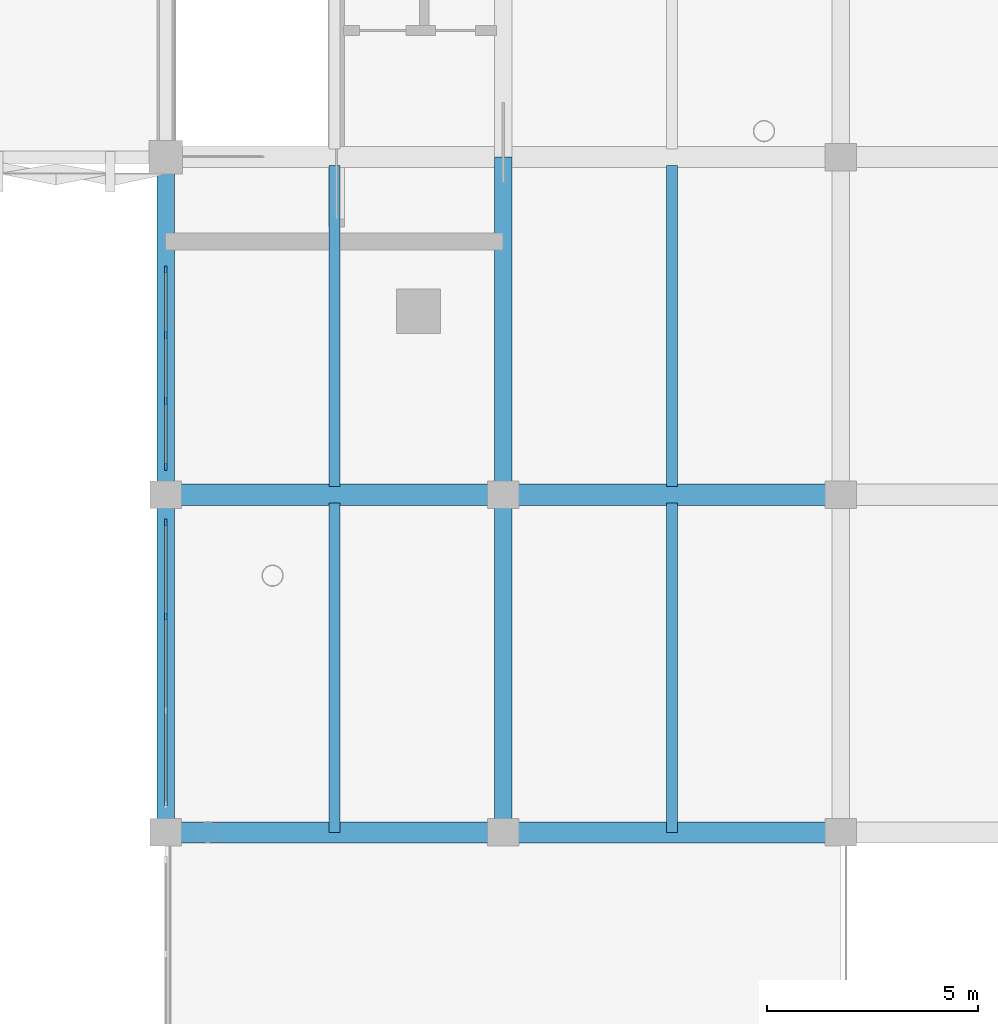
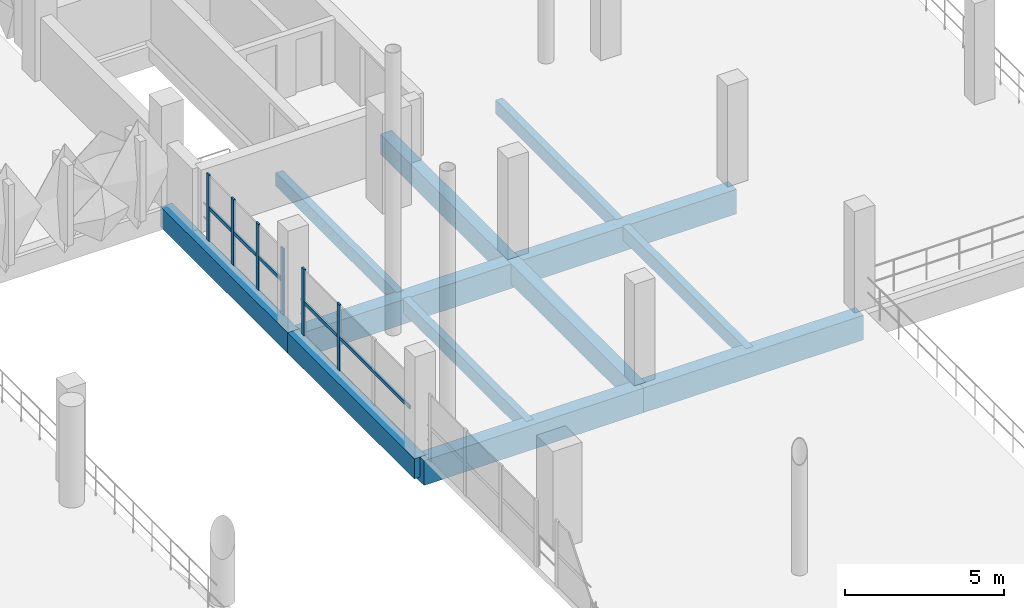
# One storey, part 24 of 123: 12 beams, 8 members, 2 elements without a shape of their own.
"""IFC4 building model written with IfcOpenShell, lengths in metres."""

from ifc_helpers import new_model, si_unit, derived_unit, direction, frame, origin, origin_2d, place, context, subcontext, project, spatial, rectangle, extrude, material, layer, layer_set, material_profile, profile_set, type_object, element, aggregate, save


model = new_model("IFC4")

# Units and contexts
model_context = context("Model", 3, precision=1e-05, world=origin(), true_north=direction((0.0, 1.0)))
body_context = subcontext(model_context, "Body", "Model", "MODEL_VIEW")
ifc_project = project(units=[si_unit("LENGTHUNIT", "METRE"), si_unit("AREAUNIT", "SQUARE_METRE"), si_unit("VOLUMEUNIT", "CUBIC_METRE"), si_unit("PLANEANGLEUNIT", "RADIAN"), si_unit("MASSUNIT", "GRAM", prefix="KILO"), si_unit("THERMODYNAMICTEMPERATUREUNIT", "KELVIN"), derived_unit("THERMALTRANSMITTANCEUNIT", [(si_unit("POWERUNIT", "WATT"), 1), (si_unit("AREAUNIT", "SQUARE_METRE"), -1), (si_unit("THERMODYNAMICTEMPERATUREUNIT", "KELVIN"), -1)])], contexts=[model_context])

# Site, building, storey
site_placement = place(None, origin())
site = spatial("IfcSite", under=ifc_project, at=site_placement, CompositionType="ELEMENT")
building_placement = place(site_placement, origin())
building = spatial("IfcBuilding", under=site, at=building_placement, Name="Haiyu Intermodal Mobility Hub", CompositionType="ELEMENT")
storey_placement = place(building_placement, frame((0.0, 0.0, 5.60009765625)))
storey = spatial("IfcBuildingStorey", under=building, at=storey_placement, Name="L01", CompositionType="ELEMENT", Elevation=5.60009765625)

# Beams
ifc_material_1 = material(Name="Concrete C40", Category="concrete")
ifc_material_profile_1 = material_profile(ifc_material_1, rectangle(XDim=0.5, YDim=0.949951171875, at=origin_2d()), Name="RCB500x950")
ifc_profile_set_1 = profile_set([ifc_material_profile_1], Name="Concrete C40")
beam_type_1 = type_object("IfcBeamType", Name="BM-CB01", PredefinedType="BEAM", material=ifc_profile_set_1)
for number, where, z_axis, x_axis, name in (
    (1, (62.0, 64.0, -0.735107421875), (1.0, 0.0, 0.0), (0.0, 1.0, 0.0), "BM-V1G-L01-001"),
    (2, (70.0, 64.0, -0.735107421875), (1.0, 0.0, 0.0), (0.0, 1.0, 0.0), "BM-V1G-L01-002"),
    (3, (62.0, 72.0, -0.735107421875), (1.0, 0.0, 0.0), (0.0, 1.0, 0.0), "BM-V1G-L01-011"),
    (4, (70.0, 72.0, -0.735107421875), (1.0, 0.0, 0.0), (0.0, 1.0, 0.0), "BM-V1G-L01-012"),
):
    element("IfcBeam", number, at=place(storey_placement, frame(where, z_axis=z_axis, x_axis=x_axis)), inside=storey, type_object=beam_type_1, Name=name, PredefinedType="BEAM", context=body_context, shape_type="SweptSolid", body=[
        extrude(rectangle(XDim=0.5, YDim=0.949951171875, at=origin_2d()), origin(), (0.0, 0.0, 1.0), 8.0),
    ])
ifc_material_profile_2 = material_profile(ifc_material_1, rectangle(XDim=0.419921875, YDim=0.780029296875, at=origin_2d()), Name="B420x780")
ifc_profile_set_2 = profile_set([ifc_material_profile_2], Name="Concrete C40")
beam_type_2 = type_object("IfcBeamType", Name="BM-CB14", PredefinedType="BEAM", material=ifc_profile_set_2)
for number, where, z_axis, x_axis, name in (
    (5, (62.0, 64.0, -0.650146484375), (0.0, 1.0, 0.0), (-1.0, 0.0, 0.0), "BM-V1T-L01-001"),
    (6, (62.0, 72.0, -0.650146484375), (0.0, 1.0, 0.0), (-1.0, 0.0, 0.0), "BM-V1T-L01-002"),
    (7, (70.0, 64.0, -0.650146484375), (0.0, 1.0, 0.0), (-1.0, 0.0, 0.0), "BM-V1T-L01-004"),
    (8, (70.0, 72.0, -0.650146484375), (0.0, 1.0, 0.0), (-1.0, 0.0, 0.0), "BM-V1T-L01-005"),
):
    element("IfcBeam", number, at=place(storey_placement, frame(where, z_axis=z_axis, x_axis=x_axis)), inside=storey, type_object=beam_type_2, Name=name, PredefinedType="BEAM", context=body_context, shape_type="SweptSolid", body=[
        extrude(rectangle(XDim=0.419921875, YDim=0.780029296875, at=origin_2d()), origin(), (0.0, 0.0, 1.0), 8.0),
    ])
ifc_material_profile_3 = material_profile(ifc_material_1, rectangle(XDim=0.260009765625, YDim=0.52001953125, at=origin_2d()), Name="B260x520")
ifc_profile_set_3 = profile_set([ifc_material_profile_3], Name="Concrete C40")
beam_type_3 = type_object("IfcBeamType", Name="BM-CB18", PredefinedType="JOIST", material=ifc_profile_set_3)
beam_1_placement = place(storey_placement, frame((66.0, 64.0, -0.52001953125), z_axis=(0.0, 1.0, 0.0), x_axis=(-1.0, 0.0, 0.0)))
element("IfcBeam", 9, at=beam_1_placement, inside=storey, type_object=beam_type_3, Name="BM-V1J-L01-001", PredefinedType="JOIST", context=body_context, shape_type="SweptSolid", body=[
    extrude(rectangle(XDim=0.260009765625, YDim=0.52001953125, at=origin_2d()), origin(), (0.0, 0.0, 1.0), 7.804931640625),
])
beam_2_placement = place(storey_placement, frame((66.0, 72.195068359375, -0.52001953125), z_axis=(0.0, 1.0, 0.0), x_axis=(-1.0, 0.0, 0.0)))
element("IfcBeam", 10, at=beam_2_placement, inside=storey, type_object=beam_type_3, Name="BM-V1J-L01-002", PredefinedType="JOIST", context=body_context, shape_type="SweptSolid", body=[
    extrude(rectangle(XDim=0.260009765625, YDim=0.52001953125, at=origin_2d()), origin(), (0.0, 0.0, 1.0), 7.60986328125),
])
beam_3_placement = place(storey_placement, frame((74.0, 64.0, -0.52001953125), z_axis=(0.0, 1.0, 0.0), x_axis=(-1.0, 0.0, 0.0)))
element("IfcBeam", 11, at=beam_3_placement, inside=storey, type_object=beam_type_3, Name="BM-V1J-L01-004", PredefinedType="JOIST", context=body_context, shape_type="SweptSolid", body=[
    extrude(rectangle(XDim=0.260009765625, YDim=0.52001953125, at=origin_2d()), origin(), (0.0, 0.0, 1.0), 7.804931640625),
])
beam_4_placement = place(storey_placement, frame((74.0, 72.195068359375, -0.52001953125), z_axis=(0.0, 1.0, 0.0), x_axis=(-1.0, 0.0, 0.0)))
element("IfcBeam", 12, at=beam_4_placement, inside=storey, type_object=beam_type_3, Name="BM-V1J-L01-005", PredefinedType="JOIST", context=body_context, shape_type="SweptSolid", body=[
    extrude(rectangle(XDim=0.260009765625, YDim=0.52001953125, at=origin_2d()), origin(), (0.0, 0.0, 1.0), 7.60986328125),
])

# Curtain wall, members
ifc_material_2 = material(Name="Low-e laminated insulating glass", Category="glass")
ifc_layer = layer(ifc_material_2, 0.25)
ifc_layer_set = layer_set([ifc_layer], Name="Low-e laminated insulating glass")
curtain_wall_type = type_object("IfcCurtainWallType", Name="CW-CW02", PredefinedType="NOTDEFINED", material=ifc_layer_set)
curtain_wall_1_placement = place(storey_placement, origin())
curtain_wall_1 = element("IfcCurtainWall", 13, at=curtain_wall_1_placement, inside=storey, type_object=curtain_wall_type, Name="Curtain Wall CW-V1W-L01-036", PredefinedType="NOTDEFINED")
ifc_material_3 = material(Name="Anodised aluminium 6063-T6", Category="aluminium")
ifc_material_profile_4 = material_profile(ifc_material_3, rectangle(XDim=0.06494140625, YDim=0.1650390625, at=origin_2d()), Name="ALU65x165")
ifc_profile_set_4 = profile_set([ifc_material_profile_4], Name="Anodised aluminium 6063-T6")
member_type_1 = type_object("IfcMemberType", Name="CWM-ML02", PredefinedType="MULLION", material=ifc_profile_set_4)
member_1_placement = place(storey_placement, frame((62.0, 71.340087890625, 0.0), z_axis=(0.0, 0.0, 1.0), x_axis=(1.0, 0.0, 0.0)))
member_1 = element("IfcMember", 14, at=member_1_placement, type_object=member_type_1, Name="CW-V1W-L01-036-ML01", PredefinedType="MULLION", context=body_context, shape_type="SweptSolid", body=[
    extrude(rectangle(XDim=0.06494140625, YDim=0.1650390625, at=origin_2d()), origin(), (0.0, 0.0, 1.0), 2.5498046875),
])
member_2_placement = place(storey_placement, frame((62.0, 69.113037109375, 0.0), z_axis=(0.0, 0.0, 1.0), x_axis=(1.0, 0.0, 0.0)))
member_2 = element("IfcMember", 15, at=member_2_placement, type_object=member_type_1, Name="CW-V1W-L01-036-ML02", PredefinedType="MULLION", context=body_context, shape_type="SweptSolid", body=[
    extrude(rectangle(XDim=0.06494140625, YDim=0.1650390625, at=origin_2d()), origin(), (0.0, 0.0, 1.0), 2.5498046875),
])

curtain_wall_2_placement = place(storey_placement, origin())
curtain_wall_2 = element("IfcCurtainWall", 16, at=curtain_wall_2_placement, inside=storey, type_object=curtain_wall_type, Name="Curtain Wall CW-V1W-L01-037", PredefinedType="NOTDEFINED")
member_3_placement = place(storey_placement, frame((62.0, 77.340087890625, 0.0), z_axis=(0.0, 0.0, 1.0), x_axis=(1.0, 0.0, 0.0)))
member_3 = element("IfcMember", 17, at=member_3_placement, type_object=member_type_1, Name="CW-V1W-L01-037-ML01", PredefinedType="MULLION", context=body_context, shape_type="SweptSolid", body=[
    extrude(rectangle(XDim=0.06494140625, YDim=0.1650390625, at=origin_2d()), origin(), (0.0, 0.0, 1.0), 2.5498046875),
])
member_4_placement = place(storey_placement, frame((62.0, 75.780029296875, 0.0), z_axis=(0.0, 0.0, 1.0), x_axis=(1.0, 0.0, 0.0)))
member_4 = element("IfcMember", 18, at=member_4_placement, type_object=member_type_1, Name="CW-V1W-L01-037-ML02", PredefinedType="MULLION", context=body_context, shape_type="SweptSolid", body=[
    extrude(rectangle(XDim=0.06494140625, YDim=0.1650390625, at=origin_2d()), origin(), (0.0, 0.0, 1.0), 2.5498046875),
])
member_5_placement = place(storey_placement, frame((62.0, 74.219970703125, 0.0), z_axis=(0.0, 0.0, 1.0), x_axis=(1.0, 0.0, 0.0)))
member_5 = element("IfcMember", 19, at=member_5_placement, type_object=member_type_1, Name="CW-V1W-L01-037-ML03", PredefinedType="MULLION", context=body_context, shape_type="SweptSolid", body=[
    extrude(rectangle(XDim=0.06494140625, YDim=0.1650390625, at=origin_2d()), origin(), (0.0, 0.0, 1.0), 2.5498046875),
])
member_6_placement = place(storey_placement, frame((62.0, 72.659912109375, 0.0), z_axis=(0.0, 0.0, 1.0), x_axis=(1.0, 0.0, 0.0)))
member_6 = element("IfcMember", 20, at=member_6_placement, type_object=member_type_1, Name="CW-V1W-L01-037-ML04", PredefinedType="MULLION", context=body_context, shape_type="SweptSolid", body=[
    extrude(rectangle(XDim=0.06494140625, YDim=0.1650390625, at=origin_2d()), origin(), (0.0, 0.0, 1.0), 2.5498046875),
])

# Member
ifc_material_profile_5 = material_profile(ifc_material_3, rectangle(XDim=0.06494140625, YDim=0.135009765625, at=origin_2d()), Name="ALU65x135")
ifc_profile_set_5 = profile_set([ifc_material_profile_5], Name="Anodised aluminium 6063-T6")
member_type_2 = type_object("IfcMemberType", Name="CWM-TR02", PredefinedType="USERDEFINED", material=ifc_profile_set_5)
member_7_placement = place(storey_placement, frame((62.0, 71.3798828125, 1.27490234375), z_axis=(0.0, -1.0, 0.0), x_axis=(1.0, 0.0, 0.0)))
member_7 = element("IfcMember", 21, at=member_7_placement, type_object=member_type_2, Name="CW-V1W-L01-036-TR01", ObjectType="TRANSOM", PredefinedType="USERDEFINED", context=body_context, shape_type="SweptSolid", body=[
    extrude(rectangle(XDim=0.06494140625, YDim=0.135009765625, at=origin_2d()), origin(), (0.0, 0.0, 1.0), 6.759765625),
])

aggregate(curtain_wall_1, [member_1, member_2, member_7])

member_8_placement = place(storey_placement, frame((62.0, 77.3798828125, 1.27490234375), z_axis=(0.0, -1.0, 0.0), x_axis=(1.0, 0.0, 0.0)))
member_8 = element("IfcMember", 22, at=member_8_placement, type_object=member_type_2, Name="CW-V1W-L01-037-TR01", ObjectType="TRANSOM", PredefinedType="USERDEFINED", context=body_context, shape_type="SweptSolid", body=[
    extrude(rectangle(XDim=0.06494140625, YDim=0.135009765625, at=origin_2d()), origin(), (0.0, 0.0, 1.0), 4.759765625),
])

aggregate(curtain_wall_2, [member_3, member_4, member_5, member_6, member_8])

save(model, "model.ifc")
